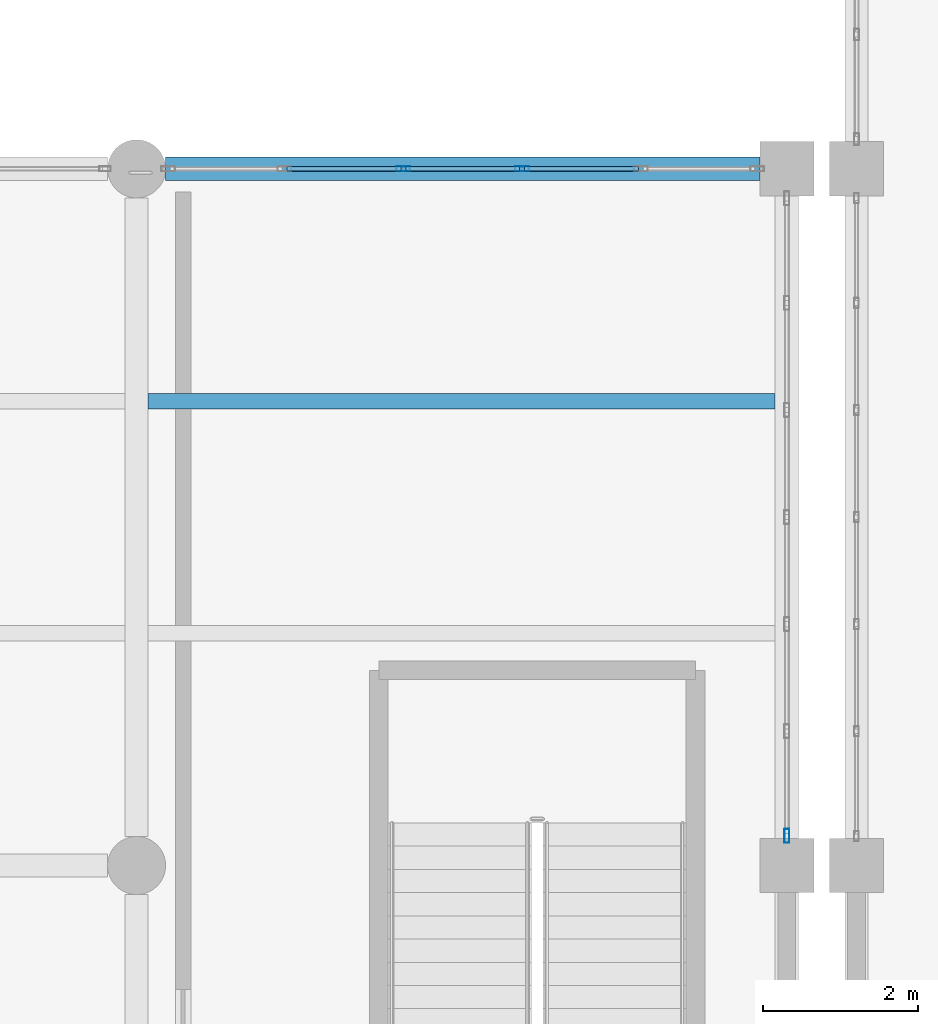
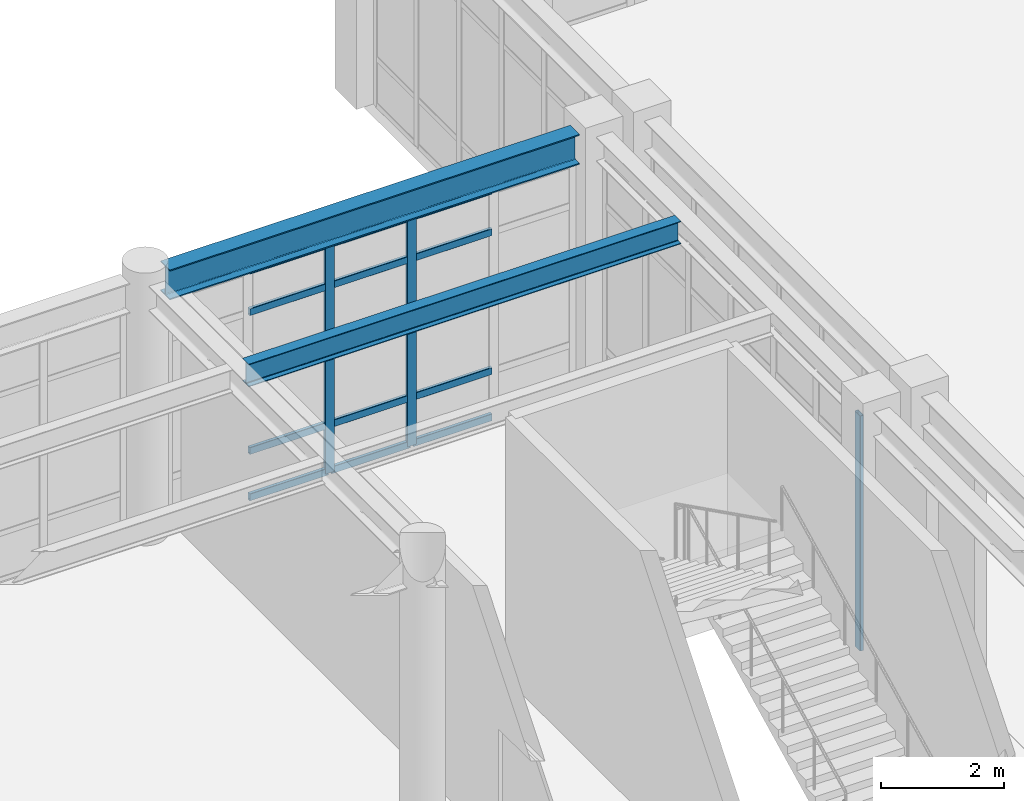
# One storey, part 43 of 80: 15 members, 2 beams, 2 elements without a shape of their own.
"""IFC4 building model written with IfcOpenShell, lengths in metres."""

from ifc_helpers import new_model, si_unit, direction, frame, origin, origin_2d, place, context, subcontext, project, spatial, hollow_rectangle, i_section, extrude, material, material_profile, profile_set, type_object, element, aggregate, save


model = new_model("IFC4")

# Units and contexts
model_context = context("Model", 3, precision=1e-05, world=origin(), true_north=direction((0.0, 1.0)))
body_context = subcontext(model_context, "Body", "Model", "MODEL_VIEW")
ifc_project = project(units=[si_unit("LENGTHUNIT", "METRE"), si_unit("AREAUNIT", "SQUARE_METRE"), si_unit("VOLUMEUNIT", "CUBIC_METRE"), si_unit("PLANEANGLEUNIT", "RADIAN"), si_unit("MASSUNIT", "GRAM", prefix="KILO")], contexts=[model_context])

# Site, building, storey
site_placement = place(None, origin())
site = spatial("IfcSite", under=ifc_project, at=site_placement, CompositionType="ELEMENT")
building_placement = place(site_placement, origin())
building = spatial("IfcBuilding", under=site, at=building_placement, Name="Canglan Escarpment Cableway Terminal", CompositionType="ELEMENT")
storey_placement = place(building_placement, frame((0.0, 0.0, 19.199951171875)))
storey = spatial("IfcBuildingStorey", under=building, at=storey_placement, Name="L04", CompositionType="ELEMENT", Elevation=19.199951171875)

# Beam
ifc_material_1 = material(Name="Steel Q355C", Category="steel")
ifc_material_profile_1 = material_profile(ifc_material_1, i_section(OverallWidth=0.302001953125, OverallDepth=0.593994140625, WebThickness=0.013916015625, FlangeThickness=0.02294921875, FilletRadius=0.028076171875, at=origin_2d()), Name="HM 594x302x14x23")
ifc_profile_set_1 = profile_set([ifc_material_profile_1], Name="Steel Q355C")
beam_type_1 = type_object("IfcBeamType", Name="BM-HM594", PredefinedType="BEAM", material=ifc_profile_set_1)
beam_1_placement = place(storey_placement, frame((128.675048828125, 115.0, 4.863037109375), z_axis=(1.0, 0.0, 0.0), x_axis=(0.0, 1.0, 0.0)))
element("IfcBeam", 1, at=beam_1_placement, inside=storey, type_object=beam_type_1, Name="Primary structural girder B-07", PredefinedType="BEAM", context=body_context, shape_type="SweptSolid", body=[
    extrude(i_section(OverallWidth=0.302001953125, OverallDepth=0.593994140625, WebThickness=0.013916015625, FlangeThickness=0.02294921875, FilletRadius=0.028076171875, at=origin_2d()), origin(), (0.0, 0.0, 1.0), 7.675048828125),
])

# Curtain wall, member
ifc_material_2 = material(Name="Anodized bronze aluminium and Low-E double glazing", Category="aluminium")
curtain_wall_type_1 = type_object("IfcCurtainWallType", Name="CW-BAY-8300x4650", PredefinedType="NOTDEFINED", material=ifc_material_2)
curtain_wall_1_placement = place(storey_placement, origin())
curtain_wall_1 = element("IfcCurtainWall", 2, at=curtain_wall_1_placement, inside=storey, type_object=curtain_wall_type_1, Name="Classical bay-between-piers glazed curtain wall CW-51", PredefinedType="NOTDEFINED")
ifc_material_3 = material(Name="Thermally broken anodized aluminium 6063-T6", Category="aluminium")
ifc_material_profile_2 = material_profile(ifc_material_3, hollow_rectangle(XDim=0.06494140625, YDim=0.179931640625, WallThickness=0.00390625, InnerFilletRadius=0.00390625, OuterFilletRadius=0.008056640625, at=origin_2d()), Name="ALU-MULL 65x180x4")
ifc_profile_set_2 = profile_set([ifc_material_profile_2], Name="Thermally broken anodized aluminium 6063-T6")
member_type_1 = type_object("IfcMemberType", Name="CWM-03", PredefinedType="MULLION", material=ifc_profile_set_2)
member_1_placement = place(storey_placement, frame((136.699951171875, 106.382568359375, 0.0), z_axis=(0.0, 0.0, 1.0), x_axis=(-1.0, 0.0, 0.0)))
member_1 = element("IfcMember", 3, at=member_1_placement, type_object=member_type_1, Name="CW-51 mullion 1", PredefinedType="MULLION", context=body_context, shape_type="SweptSolid", body=[
    extrude(hollow_rectangle(XDim=0.06494140625, YDim=0.179931640625, WallThickness=0.00390625, InnerFilletRadius=0.00390625, OuterFilletRadius=0.008056640625, at=origin_2d()), origin(), (0.0, 0.0, 1.0), 4.656982421875),
])
aggregate(curtain_wall_1, [member_1])

# Curtain wall, members
curtain_wall_type_2 = type_object("IfcCurtainWallType", Name="CW-BAY-7675x4550", PredefinedType="NOTDEFINED", material=ifc_material_2)
curtain_wall_2_placement = place(storey_placement, origin())
curtain_wall_2 = element("IfcCurtainWall", 4, at=curtain_wall_2_placement, inside=storey, type_object=curtain_wall_type_2, Name="Classical bay-between-piers glazed curtain wall CW-54", PredefinedType="NOTDEFINED")
member_2_placement = place(storey_placement, frame((133.280029296875, 115.0, 0.0), z_axis=(0.0, 0.0, 1.0), x_axis=(0.0, -1.0, 0.0)))
member_2 = element("IfcMember", 5, at=member_2_placement, type_object=member_type_1, Name="CW-54 mullion 3", PredefinedType="MULLION", context=body_context, shape_type="SweptSolid", body=[
    extrude(hollow_rectangle(XDim=0.06494140625, YDim=0.179931640625, WallThickness=0.00390625, InnerFilletRadius=0.00390625, OuterFilletRadius=0.008056640625, at=origin_2d()), origin(), (0.0, 0.0, 1.0), 4.551025390625),
])
member_3_placement = place(storey_placement, frame((131.7451171875, 115.0, 0.0), z_axis=(0.0, 0.0, 1.0), x_axis=(0.0, -1.0, 0.0)))
member_3 = element("IfcMember", 6, at=member_3_placement, type_object=member_type_1, Name="CW-54 mullion 4", PredefinedType="MULLION", context=body_context, shape_type="SweptSolid", body=[
    extrude(hollow_rectangle(XDim=0.06494140625, YDim=0.179931640625, WallThickness=0.00390625, InnerFilletRadius=0.00390625, OuterFilletRadius=0.008056640625, at=origin_2d()), origin(), (0.0, 0.0, 1.0), 4.551025390625),
])
ifc_material_profile_3 = material_profile(ifc_material_3, hollow_rectangle(XDim=0.06494140625, YDim=0.139892578125, WallThickness=0.00341796875, InnerFilletRadius=0.00341796875, OuterFilletRadius=0.007080078125, at=origin_2d()), Name="ALU-TRAN 65x140x3.5")
ifc_profile_set_3 = profile_set([ifc_material_profile_3], Name="Thermally broken anodized aluminium 6063-T6")
member_type_2 = type_object("IfcMemberType", Name="CWT-03", PredefinedType="USERDEFINED", material=ifc_profile_set_3)
member_4_placement = place(storey_placement, frame((134.782470703125, 115.0, 0.032470703125), z_axis=(-1.0, 0.0, 0.0), x_axis=(0.0, -1.0, 0.0)))
member_4 = element("IfcMember", 7, at=member_4_placement, type_object=member_type_2, Name="CW-54 transom 2.1", ObjectType="TRANSOM", PredefinedType="USERDEFINED", context=body_context, shape_type="SweptSolid", body=[
    extrude(hollow_rectangle(XDim=0.06494140625, YDim=0.139892578125, WallThickness=0.00341796875, InnerFilletRadius=0.00341796875, OuterFilletRadius=0.007080078125, at=origin_2d()), origin(), (0.0, 0.0, 1.0), 1.469970703125),
])
member_5_placement = place(storey_placement, frame((134.782470703125, 115.0, 0.949951171875), z_axis=(-1.0, 0.0, 0.0), x_axis=(0.0, -1.0, 0.0)))
member_5 = element("IfcMember", 8, at=member_5_placement, type_object=member_type_2, Name="CW-54 transom 2.2", ObjectType="TRANSOM", PredefinedType="USERDEFINED", context=body_context, shape_type="SweptSolid", body=[
    extrude(hollow_rectangle(XDim=0.06494140625, YDim=0.139892578125, WallThickness=0.00341796875, InnerFilletRadius=0.00341796875, OuterFilletRadius=0.007080078125, at=origin_2d()), origin(), (0.0, 0.0, 1.0), 1.469970703125),
])
member_6_placement = place(storey_placement, frame((134.782470703125, 115.0, 3.700927734375), z_axis=(-1.0, 0.0, 0.0), x_axis=(0.0, -1.0, 0.0)))
member_6 = element("IfcMember", 9, at=member_6_placement, type_object=member_type_2, Name="CW-54 transom 2.3", ObjectType="TRANSOM", PredefinedType="USERDEFINED", context=body_context, shape_type="SweptSolid", body=[
    extrude(hollow_rectangle(XDim=0.06494140625, YDim=0.139892578125, WallThickness=0.00341796875, InnerFilletRadius=0.00341796875, OuterFilletRadius=0.007080078125, at=origin_2d()), origin(), (0.0, 0.0, 1.0), 1.469970703125),
])
member_7_placement = place(storey_placement, frame((134.782470703125, 115.0, 4.5185546875), z_axis=(-1.0, 0.0, 0.0), x_axis=(0.0, -1.0, 0.0)))
member_7 = element("IfcMember", 10, at=member_7_placement, type_object=member_type_2, Name="CW-54 transom 2.4", ObjectType="TRANSOM", PredefinedType="USERDEFINED", context=body_context, shape_type="SweptSolid", body=[
    extrude(hollow_rectangle(XDim=0.06494140625, YDim=0.139892578125, WallThickness=0.00341796875, InnerFilletRadius=0.00341796875, OuterFilletRadius=0.007080078125, at=origin_2d()), origin(), (0.0, 0.0, 1.0), 1.469970703125),
])
member_8_placement = place(storey_placement, frame((133.24755859375, 115.0, 0.032470703125), z_axis=(-1.0, 0.0, 0.0), x_axis=(0.0, -1.0, 0.0)))
member_8 = element("IfcMember", 11, at=member_8_placement, type_object=member_type_2, Name="CW-54 transom 3.1", ObjectType="TRANSOM", PredefinedType="USERDEFINED", context=body_context, shape_type="SweptSolid", body=[
    extrude(hollow_rectangle(XDim=0.06494140625, YDim=0.139892578125, WallThickness=0.00341796875, InnerFilletRadius=0.00341796875, OuterFilletRadius=0.007080078125, at=origin_2d()), origin(), (0.0, 0.0, 1.0), 1.469970703125),
])
member_9_placement = place(storey_placement, frame((133.24755859375, 115.0, 0.949951171875), z_axis=(-1.0, 0.0, 0.0), x_axis=(0.0, -1.0, 0.0)))
member_9 = element("IfcMember", 12, at=member_9_placement, type_object=member_type_2, Name="CW-54 transom 3.2", ObjectType="TRANSOM", PredefinedType="USERDEFINED", context=body_context, shape_type="SweptSolid", body=[
    extrude(hollow_rectangle(XDim=0.06494140625, YDim=0.139892578125, WallThickness=0.00341796875, InnerFilletRadius=0.00341796875, OuterFilletRadius=0.007080078125, at=origin_2d()), origin(), (0.0, 0.0, 1.0), 1.469970703125),
])
member_10_placement = place(storey_placement, frame((133.24755859375, 115.0, 3.700927734375), z_axis=(-1.0, 0.0, 0.0), x_axis=(0.0, -1.0, 0.0)))
member_10 = element("IfcMember", 13, at=member_10_placement, type_object=member_type_2, Name="CW-54 transom 3.3", ObjectType="TRANSOM", PredefinedType="USERDEFINED", context=body_context, shape_type="SweptSolid", body=[
    extrude(hollow_rectangle(XDim=0.06494140625, YDim=0.139892578125, WallThickness=0.00341796875, InnerFilletRadius=0.00341796875, OuterFilletRadius=0.007080078125, at=origin_2d()), origin(), (0.0, 0.0, 1.0), 1.469970703125),
])
member_11_placement = place(storey_placement, frame((133.24755859375, 115.0, 4.5185546875), z_axis=(-1.0, 0.0, 0.0), x_axis=(0.0, -1.0, 0.0)))
member_11 = element("IfcMember", 14, at=member_11_placement, type_object=member_type_2, Name="CW-54 transom 3.4", ObjectType="TRANSOM", PredefinedType="USERDEFINED", context=body_context, shape_type="SweptSolid", body=[
    extrude(hollow_rectangle(XDim=0.06494140625, YDim=0.139892578125, WallThickness=0.00341796875, InnerFilletRadius=0.00341796875, OuterFilletRadius=0.007080078125, at=origin_2d()), origin(), (0.0, 0.0, 1.0), 1.469970703125),
])
member_12_placement = place(storey_placement, frame((131.71240234375, 115.0, 0.032470703125), z_axis=(-1.0, 0.0, 0.0), x_axis=(0.0, -1.0, 0.0)))
member_12 = element("IfcMember", 15, at=member_12_placement, type_object=member_type_2, Name="CW-54 transom 4.1", ObjectType="TRANSOM", PredefinedType="USERDEFINED", context=body_context, shape_type="SweptSolid", body=[
    extrude(hollow_rectangle(XDim=0.06494140625, YDim=0.139892578125, WallThickness=0.00341796875, InnerFilletRadius=0.00341796875, OuterFilletRadius=0.007080078125, at=origin_2d()), origin(), (0.0, 0.0, 1.0), 1.469970703125),
])
member_13_placement = place(storey_placement, frame((131.71240234375, 115.0, 0.949951171875), z_axis=(-1.0, 0.0, 0.0), x_axis=(0.0, -1.0, 0.0)))
member_13 = element("IfcMember", 16, at=member_13_placement, type_object=member_type_2, Name="CW-54 transom 4.2", ObjectType="TRANSOM", PredefinedType="USERDEFINED", context=body_context, shape_type="SweptSolid", body=[
    extrude(hollow_rectangle(XDim=0.06494140625, YDim=0.139892578125, WallThickness=0.00341796875, InnerFilletRadius=0.00341796875, OuterFilletRadius=0.007080078125, at=origin_2d()), origin(), (0.0, 0.0, 1.0), 1.469970703125),
])
member_14_placement = place(storey_placement, frame((131.71240234375, 115.0, 3.700927734375), z_axis=(-1.0, 0.0, 0.0), x_axis=(0.0, -1.0, 0.0)))
member_14 = element("IfcMember", 17, at=member_14_placement, type_object=member_type_2, Name="CW-54 transom 4.3", ObjectType="TRANSOM", PredefinedType="USERDEFINED", context=body_context, shape_type="SweptSolid", body=[
    extrude(hollow_rectangle(XDim=0.06494140625, YDim=0.139892578125, WallThickness=0.00341796875, InnerFilletRadius=0.00341796875, OuterFilletRadius=0.007080078125, at=origin_2d()), origin(), (0.0, 0.0, 1.0), 1.469970703125),
])
member_15_placement = place(storey_placement, frame((131.71240234375, 115.0, 4.5185546875), z_axis=(-1.0, 0.0, 0.0), x_axis=(0.0, -1.0, 0.0)))
member_15 = element("IfcMember", 18, at=member_15_placement, type_object=member_type_2, Name="CW-54 transom 4.4", ObjectType="TRANSOM", PredefinedType="USERDEFINED", context=body_context, shape_type="SweptSolid", body=[
    extrude(hollow_rectangle(XDim=0.06494140625, YDim=0.139892578125, WallThickness=0.00341796875, InnerFilletRadius=0.00341796875, OuterFilletRadius=0.007080078125, at=origin_2d()), origin(), (0.0, 0.0, 1.0), 1.469970703125),
])
aggregate(curtain_wall_2, [member_2, member_3, member_4, member_5, member_6, member_7, member_8, member_9, member_10, member_11, member_12, member_13, member_14, member_15])

# Beam
ifc_material_4 = material(Name="Steel Q355B", Category="steel")
ifc_material_profile_4 = material_profile(ifc_material_4, i_section(OverallWidth=0.199951171875, OverallDepth=0.449951171875, WebThickness=0.009033203125, FlangeThickness=0.013916015625, FilletRadius=0.01806640625, at=origin_2d()), Name="HN 450x200x9x14")
ifc_profile_set_4 = profile_set([ifc_material_profile_4], Name="Steel Q355B")
beam_type_2 = type_object("IfcBeamType", Name="JS-HN450", PredefinedType="JOIST", material=ifc_profile_set_4)
beam_2_placement = place(storey_placement, frame((128.449951171875, 112.0, 4.93505859375), z_axis=(1.0, 0.0, 0.0), x_axis=(0.0, 1.0, 0.0)))
element("IfcBeam", 19, at=beam_2_placement, inside=storey, type_object=beam_type_2, Name="Secondary composite deck joist J-02", PredefinedType="JOIST", context=body_context, shape_type="SweptSolid", body=[
    extrude(i_section(OverallWidth=0.199951171875, OverallDepth=0.449951171875, WebThickness=0.009033203125, FlangeThickness=0.013916015625, FilletRadius=0.01806640625, at=origin_2d()), origin(), (0.0, 0.0, 1.0), 8.10009765625),
])

save(model, "model.ifc")
